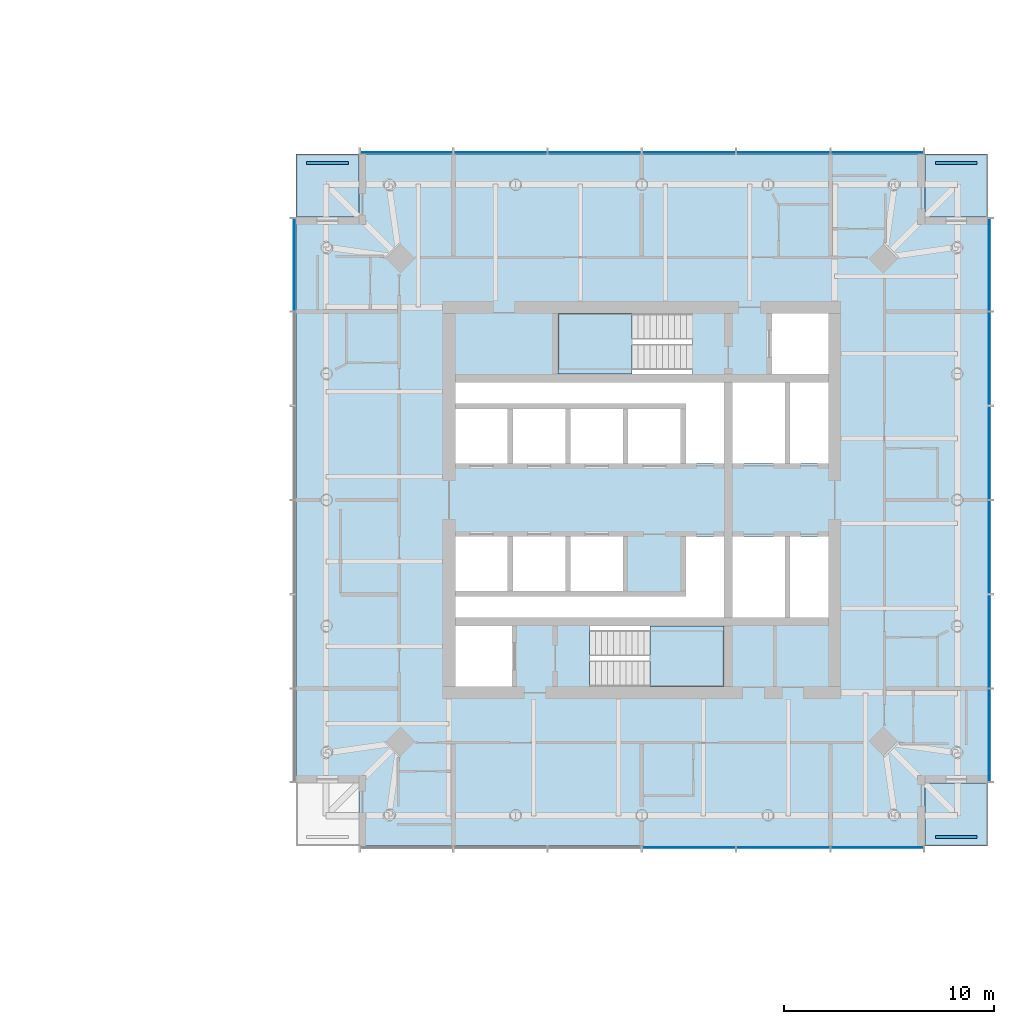
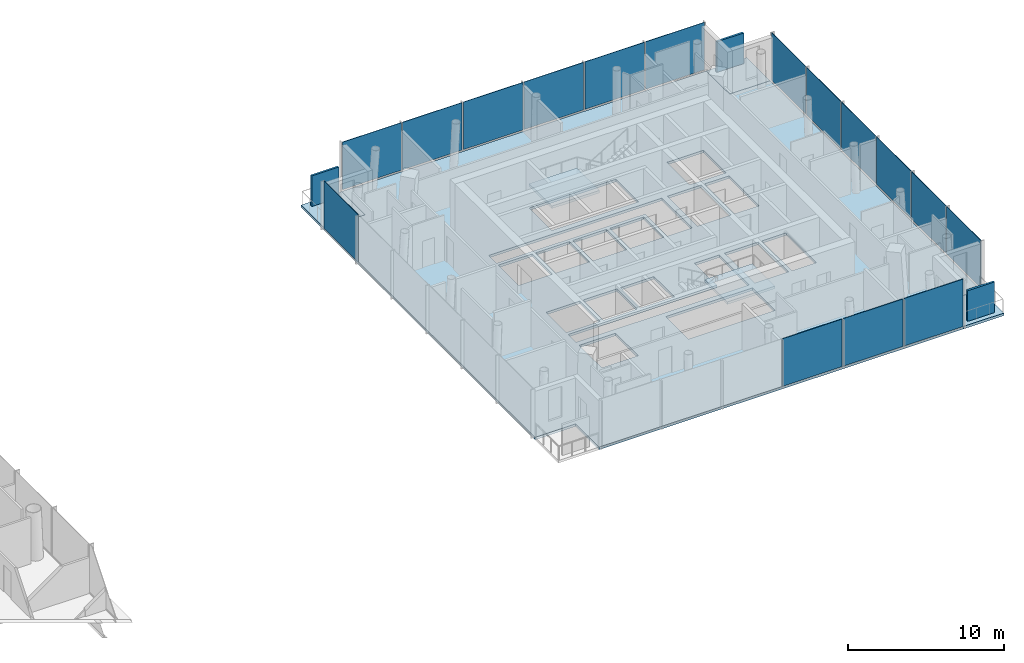
# One storey, part 7 of 27: 19 plates, 6 slabs, 6 elements without a shape of their own.
"""IFC4 building model written with IfcOpenShell, lengths in metres."""

from ifc_helpers import new_model, si_unit, direction, frame, origin, origin_2d, place, context, subcontext, project, spatial, polyline, rectangle, outline, extrude, material, layer, layer_set, type_object, element, aggregate, save


model = new_model("IFC4")

# Units and contexts
model_context = context("Model", 3, precision=1e-05, world=origin(), true_north=direction((0.0, 1.0)))
body_context = subcontext(model_context, "Body", "Model", "MODEL_VIEW")
ifc_project = project(units=[si_unit("LENGTHUNIT", "METRE"), si_unit("AREAUNIT", "SQUARE_METRE"), si_unit("VOLUMEUNIT", "CUBIC_METRE"), si_unit("PLANEANGLEUNIT", "RADIAN"), si_unit("MASSUNIT", "GRAM", prefix="KILO")], contexts=[model_context])

# Site, building, storey
site_placement = place(None, origin())
site = spatial("IfcSite", under=ifc_project, at=site_placement, CompositionType="ELEMENT")
building_placement = place(site_placement, origin())
building = spatial("IfcBuilding", under=site, at=building_placement, Name="Ostroluk Exchange", CompositionType="ELEMENT")
storey_placement = place(building_placement, frame((0.0, 0.0, 112.199951171875)))
storey = spatial("IfcBuildingStorey", under=building, at=storey_placement, Name="L28", CompositionType="ELEMENT", Elevation=112.199951171875)

# Curtain wall, plates
ifc_material_1 = material(Name="Laminated clear glass", Category="glass")
curtain_wall_type = type_object("IfcCurtainWallType", Name="Hotel guest floor facade", PredefinedType="USERDEFINED", material=ifc_material_1)
curtain_wall_1_placement = place(storey_placement, origin())
curtain_wall_1 = element("IfcCurtainWall", 1, at=curtain_wall_1_placement, inside=storey, type_object=curtain_wall_type, Name="Hotel tower south facade L28", ObjectType="UNITISED CURTAIN WALL", PredefinedType="USERDEFINED")
ifc_material_2 = material(Name="Laminated clear glass", Category="glass")
ifc_layer_1 = layer(ifc_material_2, 0.0400390625)
ifc_layer_set_1 = layer_set([ifc_layer_1], Name="Acoustic laminated glazing 40")
plate_type_1 = type_object("IfcPlateType", Name="Acoustic laminated glazing 40", PredefinedType="CURTAIN_PANEL", material=ifc_layer_set_1)
plate_1_placement = place(storey_placement, frame((119.25, 29.425048828125, 0.080078125), z_axis=(0.0, 0.0, 1.0), x_axis=(1.0, 0.0, 0.0)))
plate_1 = element("IfcPlate", 2, at=plate_1_placement, type_object=plate_type_1, Name="CW-H1 panel 4.1", PredefinedType="CURTAIN_PANEL", context=body_context, shape_type="SweptSolid", body=[
    extrude(rectangle(XDim=4.419921875, YDim=0.0400390625, at=origin_2d()), origin(), (0.0, 0.0, 1.0), 3.719970703125),
])
plate_2_placement = place(storey_placement, frame((123.75, 29.425048828125, 0.080078125), z_axis=(0.0, 0.0, 1.0), x_axis=(1.0, 0.0, 0.0)))
plate_2 = element("IfcPlate", 3, at=plate_2_placement, type_object=plate_type_1, Name="CW-H1 panel 5.1", PredefinedType="CURTAIN_PANEL", context=body_context, shape_type="SweptSolid", body=[
    extrude(rectangle(XDim=4.419921875, YDim=0.0400390625, at=origin_2d()), origin(), (0.0, 0.0, 1.0), 3.719970703125),
])
plate_3_placement = place(storey_placement, frame((128.22998046875, 29.425048828125, 0.080078125), z_axis=(0.0, 0.0, 1.0), x_axis=(1.0, 0.0, 0.0)))
plate_3 = element("IfcPlate", 4, at=plate_3_placement, type_object=plate_type_1, Name="CW-H1 panel 6.1", PredefinedType="CURTAIN_PANEL", context=body_context, shape_type="SweptSolid", body=[
    extrude(rectangle(XDim=4.3798828125, YDim=0.0400390625, at=origin_2d()), origin(), (0.0, 0.0, 1.0), 3.719970703125),
])
aggregate(curtain_wall_1, [plate_1, plate_2, plate_3])

curtain_wall_2_placement = place(storey_placement, origin())
curtain_wall_2 = element("IfcCurtainWall", 5, at=curtain_wall_2_placement, inside=storey, type_object=curtain_wall_type, Name="Hotel tower east facade L28", ObjectType="UNITISED CURTAIN WALL", PredefinedType="USERDEFINED")
plate_4_placement = place(storey_placement, frame((133.574951171875, 34.77001953125, 0.080078125), z_axis=(0.0, 0.0, 1.0), x_axis=(0.0, 1.0, 0.0)))
plate_4 = element("IfcPlate", 6, at=plate_4_placement, type_object=plate_type_1, Name="CW-H1 panel 1.1", PredefinedType="CURTAIN_PANEL", context=body_context, shape_type="SweptSolid", body=[
    extrude(rectangle(XDim=4.3798828125, YDim=0.0400390625, at=origin_2d()), origin(), (0.0, 0.0, 1.0), 3.719970703125),
])
plate_5_placement = place(storey_placement, frame((133.574951171875, 39.25, 0.080078125), z_axis=(0.0, 0.0, 1.0), x_axis=(0.0, 1.0, 0.0)))
plate_5 = element("IfcPlate", 7, at=plate_5_placement, type_object=plate_type_1, Name="CW-H1 panel 2.1", PredefinedType="CURTAIN_PANEL", context=body_context, shape_type="SweptSolid", body=[
    extrude(rectangle(XDim=4.419921875, YDim=0.0400390625, at=origin_2d()), origin(), (0.0, 0.0, 1.0), 3.719970703125),
])
plate_6_placement = place(storey_placement, frame((133.574951171875, 43.75, 0.080078125), z_axis=(0.0, 0.0, 1.0), x_axis=(0.0, 1.0, 0.0)))
plate_6 = element("IfcPlate", 8, at=plate_6_placement, type_object=plate_type_1, Name="CW-H1 panel 3.1", PredefinedType="CURTAIN_PANEL", context=body_context, shape_type="SweptSolid", body=[
    extrude(rectangle(XDim=4.419921875, YDim=0.0400390625, at=origin_2d()), origin(), (0.0, 0.0, 1.0), 3.719970703125),
])
plate_7_placement = place(storey_placement, frame((133.574951171875, 48.25, 0.080078125), z_axis=(0.0, 0.0, 1.0), x_axis=(0.0, 1.0, 0.0)))
plate_7 = element("IfcPlate", 9, at=plate_7_placement, type_object=plate_type_1, Name="CW-H1 panel 4.1", PredefinedType="CURTAIN_PANEL", context=body_context, shape_type="SweptSolid", body=[
    extrude(rectangle(XDim=4.419921875, YDim=0.0400390625, at=origin_2d()), origin(), (0.0, 0.0, 1.0), 3.719970703125),
])
plate_8_placement = place(storey_placement, frame((133.574951171875, 52.75, 0.080078125), z_axis=(0.0, 0.0, 1.0), x_axis=(0.0, 1.0, 0.0)))
plate_8 = element("IfcPlate", 10, at=plate_8_placement, type_object=plate_type_1, Name="CW-H1 panel 5.1", PredefinedType="CURTAIN_PANEL", context=body_context, shape_type="SweptSolid", body=[
    extrude(rectangle(XDim=4.419921875, YDim=0.0400390625, at=origin_2d()), origin(), (0.0, 0.0, 1.0), 3.719970703125),
])
plate_9_placement = place(storey_placement, frame((133.574951171875, 57.22998046875, 0.080078125), z_axis=(0.0, 0.0, 1.0), x_axis=(0.0, 1.0, 0.0)))
plate_9 = element("IfcPlate", 11, at=plate_9_placement, type_object=plate_type_1, Name="CW-H1 panel 6.1", PredefinedType="CURTAIN_PANEL", context=body_context, shape_type="SweptSolid", body=[
    extrude(rectangle(XDim=4.3798828125, YDim=0.0400390625, at=origin_2d()), origin(), (0.0, 0.0, 1.0), 3.719970703125),
])
aggregate(curtain_wall_2, [plate_4, plate_5, plate_6, plate_7, plate_8, plate_9])

curtain_wall_3_placement = place(storey_placement, origin())
curtain_wall_3 = element("IfcCurtainWall", 12, at=curtain_wall_3_placement, inside=storey, type_object=curtain_wall_type, Name="Hotel tower north facade L28", ObjectType="UNITISED CURTAIN WALL", PredefinedType="USERDEFINED")
plate_10_placement = place(storey_placement, frame((128.22998046875, 62.574951171875, 0.080078125), z_axis=(0.0, 0.0, 1.0), x_axis=(-1.0, 0.0, 0.0)))
plate_10 = element("IfcPlate", 13, at=plate_10_placement, type_object=plate_type_1, Name="CW-H1 panel 1.1", PredefinedType="CURTAIN_PANEL", context=body_context, shape_type="SweptSolid", body=[
    extrude(rectangle(XDim=4.3798828125, YDim=0.0400390625, at=origin_2d()), origin(), (0.0, 0.0, 1.0), 3.719970703125),
])
plate_11_placement = place(storey_placement, frame((123.75, 62.574951171875, 0.080078125), z_axis=(0.0, 0.0, 1.0), x_axis=(-1.0, 0.0, 0.0)))
plate_11 = element("IfcPlate", 14, at=plate_11_placement, type_object=plate_type_1, Name="CW-H1 panel 2.1", PredefinedType="CURTAIN_PANEL", context=body_context, shape_type="SweptSolid", body=[
    extrude(rectangle(XDim=4.419921875, YDim=0.0400390625, at=origin_2d()), origin(), (0.0, 0.0, 1.0), 3.719970703125),
])
plate_12_placement = place(storey_placement, frame((119.25, 62.574951171875, 0.080078125), z_axis=(0.0, 0.0, 1.0), x_axis=(-1.0, 0.0, 0.0)))
plate_12 = element("IfcPlate", 15, at=plate_12_placement, type_object=plate_type_1, Name="CW-H1 panel 3.1", PredefinedType="CURTAIN_PANEL", context=body_context, shape_type="SweptSolid", body=[
    extrude(rectangle(XDim=4.419921875, YDim=0.0400390625, at=origin_2d()), origin(), (0.0, 0.0, 1.0), 3.719970703125),
])
plate_13_placement = place(storey_placement, frame((114.75, 62.574951171875, 0.080078125), z_axis=(0.0, 0.0, 1.0), x_axis=(-1.0, 0.0, 0.0)))
plate_13 = element("IfcPlate", 16, at=plate_13_placement, type_object=plate_type_1, Name="CW-H1 panel 4.1", PredefinedType="CURTAIN_PANEL", context=body_context, shape_type="SweptSolid", body=[
    extrude(rectangle(XDim=4.419921875, YDim=0.0400390625, at=origin_2d()), origin(), (0.0, 0.0, 1.0), 3.719970703125),
])
plate_14_placement = place(storey_placement, frame((110.25, 62.574951171875, 0.080078125), z_axis=(0.0, 0.0, 1.0), x_axis=(-1.0, 0.0, 0.0)))
plate_14 = element("IfcPlate", 17, at=plate_14_placement, type_object=plate_type_1, Name="CW-H1 panel 5.1", PredefinedType="CURTAIN_PANEL", context=body_context, shape_type="SweptSolid", body=[
    extrude(rectangle(XDim=4.419921875, YDim=0.0400390625, at=origin_2d()), origin(), (0.0, 0.0, 1.0), 3.719970703125),
])
plate_15_placement = place(storey_placement, frame((105.77001953125, 62.574951171875, 0.080078125), z_axis=(0.0, 0.0, 1.0), x_axis=(-1.0, 0.0, 0.0)))
plate_15 = element("IfcPlate", 18, at=plate_15_placement, type_object=plate_type_1, Name="CW-H1 panel 6.1", PredefinedType="CURTAIN_PANEL", context=body_context, shape_type="SweptSolid", body=[
    extrude(rectangle(XDim=4.3798828125, YDim=0.0400390625, at=origin_2d()), origin(), (0.0, 0.0, 1.0), 3.719970703125),
])
aggregate(curtain_wall_3, [plate_10, plate_11, plate_12, plate_13, plate_14, plate_15])

# Curtain wall, plate
curtain_wall_4_placement = place(storey_placement, origin())
curtain_wall_4 = element("IfcCurtainWall", 19, at=curtain_wall_4_placement, inside=storey, type_object=curtain_wall_type, Name="Hotel tower west facade L28", ObjectType="UNITISED CURTAIN WALL", PredefinedType="USERDEFINED")
plate_16_placement = place(storey_placement, frame((100.425048828125, 57.22998046875, 0.080078125), z_axis=(0.0, 0.0, 1.0), x_axis=(0.0, -1.0, 0.0)))
plate_16 = element("IfcPlate", 20, at=plate_16_placement, type_object=plate_type_1, Name="CW-H1 panel 1.1", PredefinedType="CURTAIN_PANEL", context=body_context, shape_type="SweptSolid", body=[
    extrude(rectangle(XDim=4.3798828125, YDim=0.0400390625, at=origin_2d()), origin(), (0.0, 0.0, 1.0), 3.719970703125),
])
aggregate(curtain_wall_4, [plate_16])

# Slabs
ifc_material_3 = material(Name="Concrete C35/45", Category="concrete")
ifc_layer_2 = layer(ifc_material_3, 0.199951171875)
ifc_layer_set_2 = layer_set([ifc_layer_2], Name="Balcony slab 200")
slab_type_1 = type_object("IfcSlabType", Name="Balcony slab 200", PredefinedType="USERDEFINED", material=ifc_layer_set_2)
slab_1_placement = place(storey_placement, frame((0.0, 0.0, -0.199951171875)))
element("IfcSlab", 21, at=slab_1_placement, inside=storey, type_object=slab_type_1, Name="Hotel tower SE corner balcony L28", ObjectType="BALCONY", PredefinedType="USERDEFINED", context=body_context, shape_type="SweptSolid", body=[
    extrude(outline(polyline([(130.5, 29.5), (133.5, 29.5), (133.5, 32.5), (130.5, 32.5), (130.5, 29.5)])), origin(), (0.0, 0.0, 1.0), 0.199951171875),
])
slab_2_placement = place(storey_placement, frame((0.0, 0.0, -0.199951171875)))
element("IfcSlab", 22, at=slab_2_placement, inside=storey, type_object=slab_type_1, Name="Hotel tower NE corner balcony L28", ObjectType="BALCONY", PredefinedType="USERDEFINED", context=body_context, shape_type="SweptSolid", body=[
    extrude(outline(polyline([(130.5, 59.5), (133.5, 59.5), (133.5, 62.5), (130.5, 62.5), (130.5, 59.5)])), origin(), (0.0, 0.0, 1.0), 0.199951171875),
])
slab_3_placement = place(storey_placement, frame((0.0, 0.0, -0.199951171875)))
element("IfcSlab", 23, at=slab_3_placement, inside=storey, type_object=slab_type_1, Name="Hotel tower NW corner balcony L28", ObjectType="BALCONY", PredefinedType="USERDEFINED", context=body_context, shape_type="SweptSolid", body=[
    extrude(outline(polyline([(100.5, 59.5), (103.5, 59.5), (103.5, 62.5), (100.5, 62.5), (100.5, 59.5)])), origin(), (0.0, 0.0, 1.0), 0.199951171875),
])

# Plates
ifc_material_4 = material(Name="Steel S355 trellis with planting", Category="steel")
ifc_layer_3 = layer(ifc_material_4, 0.14990234375)
ifc_layer_set_3 = layer_set([ifc_layer_3], Name="Planted screen 150")
plate_type_2 = type_object("IfcPlateType", Name="Planted screen 150", PredefinedType="USERDEFINED", material=ifc_layer_set_3)
for number, where, z_axis, x_axis, name in (
    (24, (132.0, 29.925048828125, 0.0), (0.0, 0.0, 1.0), (1.0, 0.0, 0.0), "Hotel tower SE planted screen L28"),
    (25, (132.0, 62.074951171875, 0.0), (0.0, 0.0, 1.0), (1.0, 0.0, 0.0), "Hotel tower NE planted screen L28"),
    (26, (102.0, 62.074951171875, 0.0), (0.0, 0.0, 1.0), (1.0, 0.0, 0.0), "Hotel tower NW planted screen L28"),
):
    element("IfcPlate", number, at=place(storey_placement, frame(where, z_axis=z_axis, x_axis=x_axis)), inside=storey, type_object=plate_type_2, Name=name, ObjectType="PLANTED SCREEN", PredefinedType="USERDEFINED", context=body_context, shape_type="SweptSolid", body=[
        extrude(rectangle(XDim=2.0, YDim=0.14990234375, at=origin_2d()), origin(), (0.0, 0.0, 1.0), 2.39990234375),
    ])

# Stair, slab
ifc_material_5 = material(Name="Concrete C30/37", Category="concrete")
stair_type = type_object("IfcStairType", Name="Exit stair half turn 3800", PredefinedType="HALF_TURN_STAIR", material=ifc_material_5)
stair_1_placement = place(storey_placement, origin())
stair_1 = element("IfcStair", 27, at=stair_1_placement, inside=storey, type_object=stair_type, Name="Stair T2-S1 L28", PredefinedType="HALF_TURN_STAIR")
ifc_material_6 = material(Name="Concrete C30/37", Category="concrete")
ifc_layer_4 = layer(ifc_material_6, 0.199951171875)
ifc_layer_set_4 = layer_set([ifc_layer_4], Name="Stair landing 200")
slab_type_2 = type_object("IfcSlabType", Name="Stair landing 200", PredefinedType="LANDING", material=ifc_layer_set_4)
slab_4_placement = place(storey_placement, frame((0.0, 0.0, 1.699951171875)))
slab_4 = element("IfcSlab", 28, at=slab_4_placement, type_object=slab_type_2, Name="T2-S1 landing 1", PredefinedType="LANDING", context=body_context, shape_type="SweptSolid", body=[
    extrude(outline(polyline([(117.39990234375, 37.10009765625), (117.39990234375, 40.0), (120.929931640625, 40.0), (120.929931640625, 37.10009765625), (117.39990234375, 37.10009765625)])), origin(), (0.0, 0.0, 1.0), 0.2001953125),
])
aggregate(stair_1, [slab_4])

stair_2_placement = place(storey_placement, origin())
stair_2 = element("IfcStair", 29, at=stair_2_placement, inside=storey, type_object=stair_type, Name="Stair T2-S2 L28", PredefinedType="HALF_TURN_STAIR")
slab_5_placement = place(storey_placement, frame((0.0, 0.0, 1.699951171875)))
slab_5 = element("IfcSlab", 30, at=slab_5_placement, type_object=slab_type_2, Name="T2-S2 landing 1", PredefinedType="LANDING", context=body_context, shape_type="SweptSolid", body=[
    extrude(outline(polyline([(116.530029296875, 52.0), (116.530029296875, 54.89990234375), (113.0, 54.89990234375), (113.0, 52.0), (116.530029296875, 52.0)])), origin(), (0.0, 0.0, 1.0), 0.2001953125),
])
aggregate(stair_2, [slab_5])

# Slab
ifc_material_7 = material(Name="Concrete C35/45", Category="concrete")
ifc_layer_5 = layer(ifc_material_7, 0.199951171875)
ifc_layer_set_5 = layer_set([ifc_layer_5], Name="Tower floor slab 200 composite")
slab_type_3 = type_object("IfcSlabType", Name="Tower floor slab 200 composite", PredefinedType="FLOOR", material=ifc_layer_set_5)
slab_6_placement = place(storey_placement, frame((0.0, 0.0, -0.199951171875)))
element("IfcSlab", 31, at=slab_6_placement, inside=storey, type_object=slab_type_3, Name="Hotel tower floor slab L28", PredefinedType="FLOOR", context=body_context, shape_type="SweptSolid", body=[
    extrude(outline(polyline([(103.5, 29.5), (130.5, 29.5), (130.5, 32.5), (133.5, 32.5), (133.5, 59.5), (130.5, 59.5), (130.5, 62.5), (103.5, 62.5), (103.5, 59.5), (100.5, 59.5), (100.5, 32.5), (103.5, 32.5), (103.5, 29.5)]), holes=[polyline([(108.10009765625, 37.10009765625), (110.800048828125, 37.10009765625), (110.800048828125, 40.0), (108.10009765625, 40.0), (108.10009765625, 37.10009765625)]), polyline([(114.510009765625, 37.10009765625), (120.929931640625, 37.10009765625), (120.929931640625, 40.0), (114.510009765625, 40.0), (114.510009765625, 37.10009765625)]), polyline([(113.0, 52.0), (119.419921875, 52.0), (119.419921875, 54.89990234375), (113.0, 54.89990234375), (113.0, 52.0)]), polyline([(123.199951171875, 52.0), (125.89990234375, 52.0), (125.89990234375, 54.89990234375), (123.199951171875, 54.89990234375), (123.199951171875, 52.0)]), polyline([(108.10009765625, 47.75), (110.60009765625, 47.75), (110.60009765625, 50.35009765625), (108.10009765625, 50.35009765625), (108.10009765625, 47.75)]), polyline([(110.85009765625, 47.75), (113.35009765625, 47.75), (113.35009765625, 50.35009765625), (110.85009765625, 50.35009765625), (110.85009765625, 47.75)]), polyline([(113.60009765625, 47.75), (116.10009765625, 47.75), (116.10009765625, 50.35009765625), (113.60009765625, 50.35009765625), (113.60009765625, 47.75)]), polyline([(116.35009765625, 47.75), (118.85009765625, 47.75), (118.85009765625, 50.35009765625), (116.35009765625, 50.35009765625), (116.35009765625, 47.75)]), polyline([(108.10009765625, 41.64990234375), (110.60009765625, 41.64990234375), (110.60009765625, 44.25), (108.10009765625, 44.25), (108.10009765625, 41.64990234375)]), polyline([(110.85009765625, 41.64990234375), (113.35009765625, 41.64990234375), (113.35009765625, 44.25), (110.85009765625, 44.25), (110.85009765625, 41.64990234375)]), polyline([(113.60009765625, 41.64990234375), (116.10009765625, 41.64990234375), (116.10009765625, 44.25), (113.60009765625, 44.25), (113.60009765625, 41.64990234375)]), polyline([(121.330078125, 47.75), (123.830078125, 47.75), (123.830078125, 51.60009765625), (121.330078125, 51.60009765625), (121.330078125, 47.75)]), polyline([(121.330078125, 40.39990234375), (123.830078125, 40.39990234375), (123.830078125, 44.25), (121.330078125, 44.25), (121.330078125, 40.39990234375)]), polyline([(120.929931640625, 51.60009765625), (120.929931640625, 47.75), (119.10009765625, 47.75), (119.10009765625, 50.60009765625), (108.10009765625, 50.60009765625), (108.10009765625, 51.60009765625), (120.929931640625, 51.60009765625)]), polyline([(108.10009765625, 40.39990234375), (108.10009765625, 41.39990234375), (119.10009765625, 41.39990234375), (119.10009765625, 44.25), (120.929931640625, 44.25), (120.929931640625, 40.39990234375), (108.10009765625, 40.39990234375)]), polyline([(124.080078125, 47.75), (125.89990234375, 47.75), (125.89990234375, 51.60009765625), (124.080078125, 51.60009765625), (124.080078125, 47.75)]), polyline([(124.080078125, 40.39990234375), (125.89990234375, 40.39990234375), (125.89990234375, 44.25), (124.080078125, 44.25), (124.080078125, 40.39990234375)])]), origin(), (0.0, 0.0, 1.0), 0.199951171875),
])

save(model, "model.ifc")
